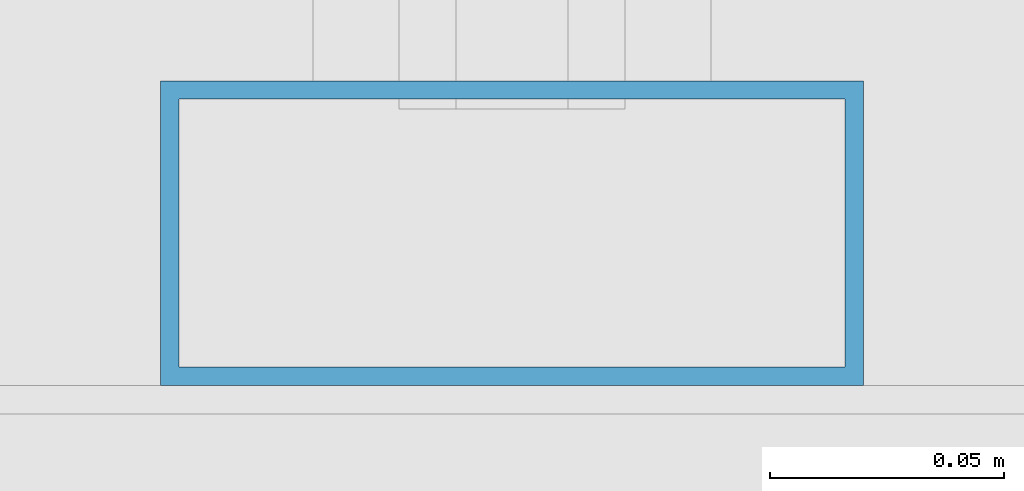
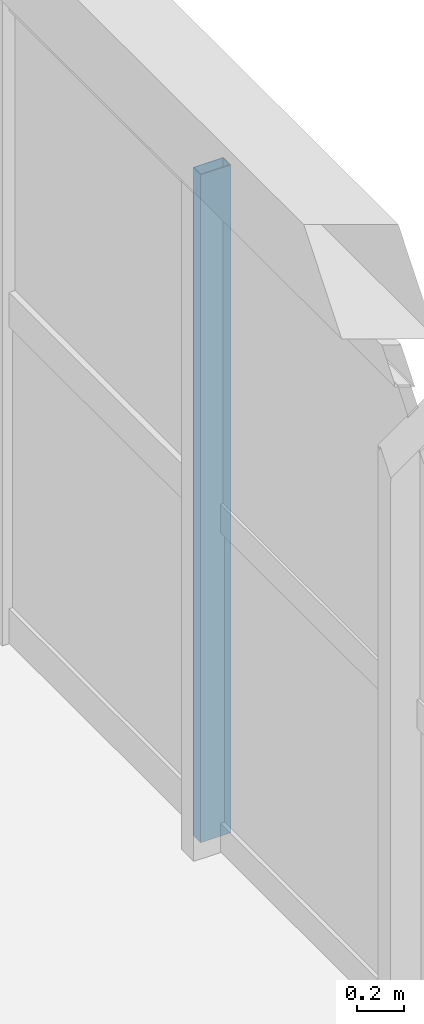
# One storey, part 64 of 113: 1 member, 1 element without a shape of its own.
"""IFC4 building model written with IfcOpenShell, lengths in metres."""

from ifc_helpers import new_model, si_unit, direction, frame, origin, origin_2d, place, context, subcontext, project, spatial, hollow_rectangle, extrude, material, layer, layer_set, material_profile, profile_set, type_object, element, aggregate, save


model = new_model("IFC4")

# Units and contexts
model_context = context("Model", 3, precision=1e-05, world=origin(), true_north=direction((0.0, 1.0)))
body_context = subcontext(model_context, "Body", "Model", "MODEL_VIEW")
ifc_project = project(units=[si_unit("LENGTHUNIT", "METRE"), si_unit("AREAUNIT", "SQUARE_METRE"), si_unit("VOLUMEUNIT", "CUBIC_METRE"), si_unit("PLANEANGLEUNIT", "RADIAN"), si_unit("MASSUNIT", "GRAM", prefix="KILO"), si_unit("POWERUNIT", "WATT"), si_unit("THERMODYNAMICTEMPERATUREUNIT", "KELVIN")], contexts=[model_context])

# Site, building, storey
site_placement = place(None, origin())
site = spatial("IfcSite", under=ifc_project, at=site_placement, CompositionType="ELEMENT")
building_placement = place(site_placement, origin())
building = spatial("IfcBuilding", under=site, at=building_placement, Name="Kelmbourne Parkland Aquatics Centre", CompositionType="ELEMENT")
storey_placement = place(building_placement, origin())
storey = spatial("IfcBuildingStorey", under=building, at=storey_placement, Name="L00", CompositionType="ELEMENT", Elevation=0.0)

# Curtain wall, member
ifc_material = material(Name="Thermally broken anodised aluminium framing", Category="aluminium")
ifc_layer = layer(ifc_material, 0.179931640625)
ifc_layer_set = layer_set([ifc_layer], Name="Thermally broken anodised aluminium framing")
curtain_wall_type = type_object("IfcCurtainWallType", Name="CW-02", PredefinedType="NOTDEFINED", material=ifc_layer_set)
curtain_wall_placement = place(storey_placement, origin())
curtain_wall = element("IfcCurtainWall", 1, at=curtain_wall_placement, inside=storey, type_object=curtain_wall_type, Name="Facade curtain wall CW-L00-050", PredefinedType="NOTDEFINED")
ifc_material_profile = material_profile(ifc_material, hollow_rectangle(XDim=0.06494140625, YDim=0.14990234375, WallThickness=0.00390625, at=origin_2d()), Name="CW-M 65x150")
ifc_profile_set = profile_set([ifc_material_profile], Name="Thermally broken anodised aluminium framing")
member_type = type_object("IfcMemberType", Name="MB-MUL-1", PredefinedType="MULLION", material=ifc_profile_set)
member_placement = place(storey_placement, frame((175.199951171875, 63.532470703125, 0.0), z_axis=(0.0, 0.0, 1.0), x_axis=(0.0, 1.0, 0.0)))
member = element("IfcMember", 2, at=member_placement, type_object=member_type, Name="CW-L00-050 mullion 0", PredefinedType="MULLION", context=body_context, shape_type="SweptSolid", body=[
    extrude(hollow_rectangle(XDim=0.06494140625, YDim=0.14990234375, WallThickness=0.00390625, at=origin_2d()), origin(), (0.0, 0.0, 1.0), 3.485107421875),
])
aggregate(curtain_wall, [member])

save(model, "model.ifc")
